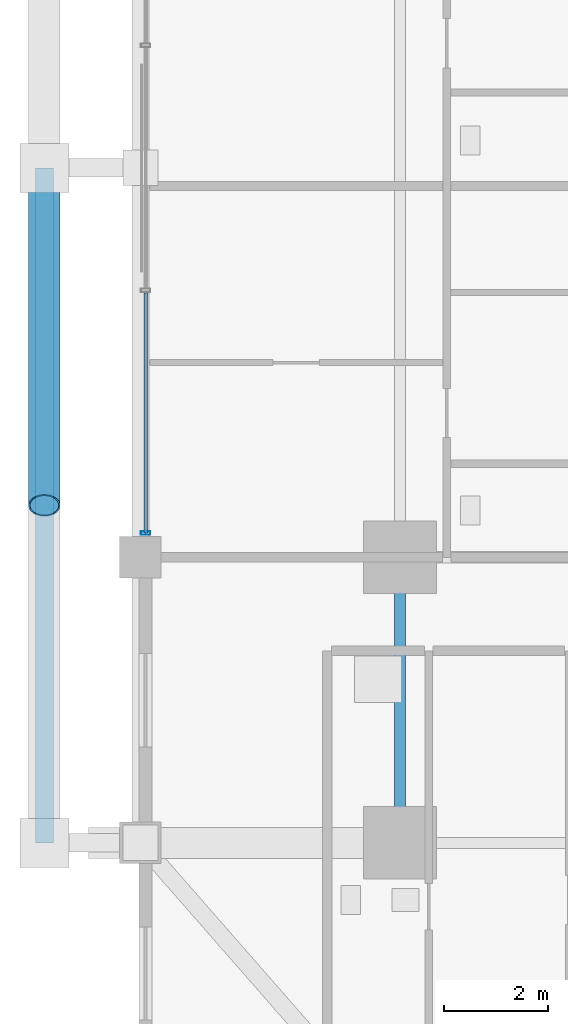
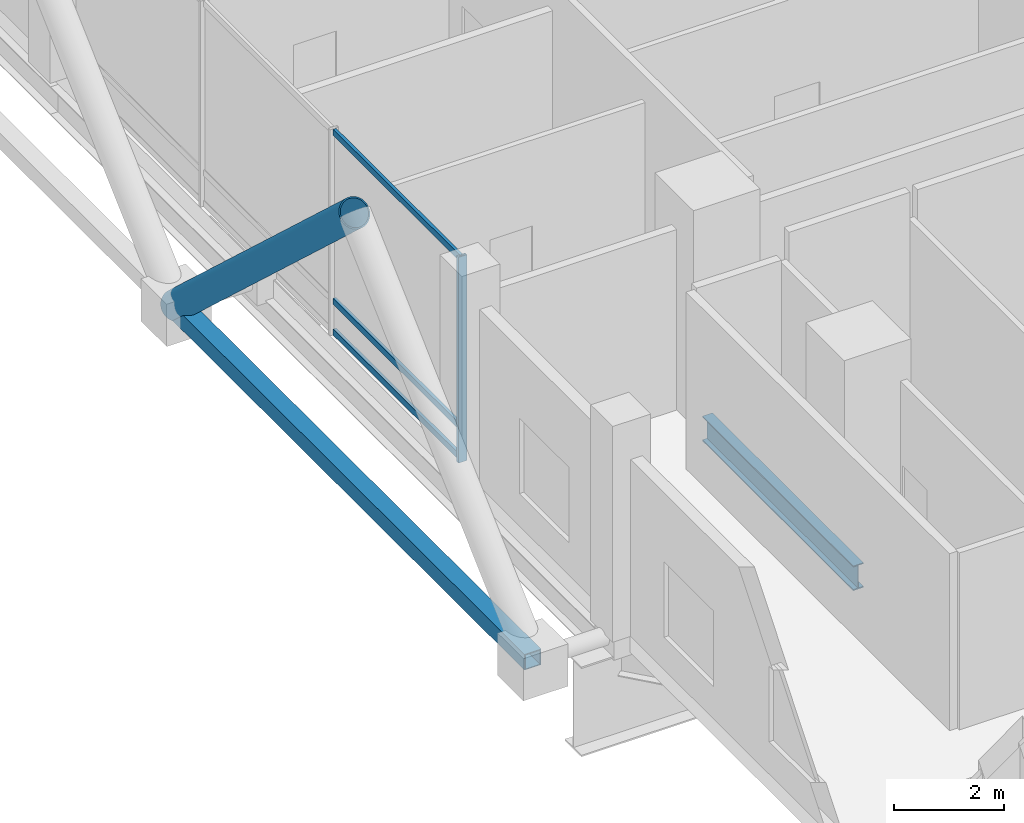
# One storey, part 6 of 33: 6 members, 1 beam, 1 element without a shape of its own.
"""IFC4 building model written with IfcOpenShell, lengths in metres."""

from ifc_helpers import new_model, si_unit, direction, frame, origin, origin_2d, place, context, subcontext, project, spatial, hollow_rectangle, hollow_circle, i_section, extrude, material, layer, layer_set, material_profile, profile_set, type_object, element, aggregate, save


model = new_model("IFC4")

# Units and contexts
model_context = context("Model", 3, precision=1e-05, world=origin(), true_north=direction((0.0, 1.0)))
body_context = subcontext(model_context, "Body", "Model", "MODEL_VIEW")
ifc_project = project(units=[si_unit("LENGTHUNIT", "METRE"), si_unit("AREAUNIT", "SQUARE_METRE"), si_unit("VOLUMEUNIT", "CUBIC_METRE"), si_unit("PLANEANGLEUNIT", "RADIAN"), si_unit("MASSUNIT", "GRAM", prefix="KILO")], contexts=[model_context])

# Site, building, storey
site_placement = place(None, origin())
site = spatial("IfcSite", under=ifc_project, at=site_placement, CompositionType="ELEMENT")
building_placement = place(site_placement, origin())
building = spatial("IfcBuilding", under=site, at=building_placement, Name="Barlavira Tower and Art Museum", CompositionType="ELEMENT")
storey_placement = place(building_placement, frame((0.0, 0.0, 27.60009765625)))
storey = spatial("IfcBuildingStorey", under=building, at=storey_placement, Name="L05", CompositionType="ELEMENT", Elevation=27.60009765625)

# Curtain wall, members
ifc_material_1 = material(Name="Low-iron coastal laminated glass", Category="glass")
ifc_layer = layer(ifc_material_1, 0.179931640625, Name="Low-iron coastal laminated glass")
ifc_layer_set = layer_set([ifc_layer], Name="Low-iron coastal laminated glass")
curtain_wall_type = type_object("IfcCurtainWallType", Name="Pale-Metal Unitised Curtain Wall Zone 1", PredefinedType="NOTDEFINED", material=ifc_layer_set)
curtain_wall_placement = place(storey_placement, origin())
curtain_wall = element("IfcCurtainWall", 1, at=curtain_wall_placement, inside=storey, type_object=curtain_wall_type, Name="L05 Curtain Wall CW1-L05-W-B3", PredefinedType="NOTDEFINED")
ifc_material_2 = material(Name="Pale anodised aluminium", Category="aluminium")
ifc_material_profile_1 = material_profile(ifc_material_2, hollow_rectangle(XDim=0.06494140625, YDim=0.179931640625, WallThickness=0.00390625, at=origin_2d()), Name="ALU-MULL 65x180x4")
ifc_profile_set_1 = profile_set([ifc_material_profile_1], Name="Pale anodised aluminium")
member_type_1 = type_object("IfcMemberType", Name="Curtain Wall Pale-Metal Mullion 65x180", PredefinedType="MULLION", material=ifc_profile_set_1)
member_1_placement = place(storey_placement, frame((-21.89990234375, -7.034912109375, 0.0), z_axis=(0.0, 0.0, 1.0), x_axis=(0.0, -1.0, 0.0)))
member_1 = element("IfcMember", 2, at=member_1_placement, type_object=member_type_1, Name="CW1-L05-W-B3 Mullion 3", PredefinedType="MULLION", context=body_context, shape_type="SweptSolid", body=[
    extrude(hollow_rectangle(XDim=0.06494140625, YDim=0.179931640625, WallThickness=0.00390625, at=origin_2d()), origin(), (0.0, 0.0, 1.0), 4.579833984375),
])
ifc_material_profile_2 = material_profile(ifc_material_2, hollow_rectangle(XDim=0.06494140625, YDim=0.139892578125, WallThickness=0.00390625, at=origin_2d()), Name="ALU-TRAN 65x140x4")
ifc_profile_set_2 = profile_set([ifc_material_profile_2], Name="Pale anodised aluminium")
member_type_2 = type_object("IfcMemberType", Name="Curtain Wall Pale-Metal Transom 65x140", PredefinedType="USERDEFINED", material=ifc_profile_set_2)
member_2_placement = place(storey_placement, frame((-21.89990234375, -2.405029296875, 0.06982421875), z_axis=(0.0, -1.0, 0.0), x_axis=(1.0, 0.0, 0.0)))
member_2 = element("IfcMember", 3, at=member_2_placement, type_object=member_type_2, Name="CW1-L05-W-B3 Transom 2.1", ObjectType="TRANSOM", PredefinedType="USERDEFINED", context=body_context, shape_type="SweptSolid", body=[
    extrude(hollow_rectangle(XDim=0.06494140625, YDim=0.139892578125, WallThickness=0.00390625, at=origin_2d()), origin(), (0.0, 0.0, 1.0), 4.6298828125),
])
member_3_placement = place(storey_placement, frame((-21.89990234375, -2.405029296875, 0.75), z_axis=(0.0, -1.0, 0.0), x_axis=(1.0, 0.0, 0.0)))
member_3 = element("IfcMember", 4, at=member_3_placement, type_object=member_type_2, Name="CW1-L05-W-B3 Transom 2.2", ObjectType="TRANSOM", PredefinedType="USERDEFINED", context=body_context, shape_type="SweptSolid", body=[
    extrude(hollow_rectangle(XDim=0.06494140625, YDim=0.139892578125, WallThickness=0.00390625, at=origin_2d()), origin(), (0.0, 0.0, 1.0), 4.6298828125),
])
member_4_placement = place(storey_placement, frame((-21.89990234375, -2.405029296875, 4.510009765625), z_axis=(0.0, -1.0, 0.0), x_axis=(1.0, 0.0, 0.0)))
member_4 = element("IfcMember", 5, at=member_4_placement, type_object=member_type_2, Name="CW1-L05-W-B3 Transom 2.3", ObjectType="TRANSOM", PredefinedType="USERDEFINED", context=body_context, shape_type="SweptSolid", body=[
    extrude(hollow_rectangle(XDim=0.06494140625, YDim=0.139892578125, WallThickness=0.00390625, at=origin_2d()), origin(), (0.0, 0.0, 1.0), 4.6298828125),
])
aggregate(curtain_wall, [member_1, member_2, member_3, member_4])

# Members
ifc_material_3 = material(Name="Steel S355", Category="steel")
ifc_material_profile_3 = material_profile(ifc_material_3, hollow_circle(Radius=0.304931640625, WallThickness=0.028076171875, at=origin_2d()), Name="CHS 610.0x28.0")
ifc_profile_set_3 = profile_set([ifc_material_profile_3], Name="Steel S355")
member_type_3 = type_object("IfcMemberType", Name="Pale-Metal Exoskeleton Diagrid Tube CHS 610x28 Steel S355", PredefinedType="BRACE", material=ifc_profile_set_3)
member_5_placement = place(storey_placement, frame((-23.85009765625, 0.0, -0.1201171875), z_axis=(0.0, -0.734803444627, 0.678280102733), x_axis=(1.0, 0.0, 0.0)))
element("IfcMember", 6, at=member_5_placement, inside=storey, type_object=member_type_3, Name="L05 Exoskeleton Diagrid Tube W", PredefinedType="BRACE", context=body_context, shape_type="SweptSolid", body=[
    extrude(hollow_circle(Radius=0.304931640625, WallThickness=0.028076171875, at=origin_2d()), origin(), (0.0, 0.0, 1.0), 8.845947265625),
])
ifc_material_profile_4 = material_profile(ifc_material_3, hollow_rectangle(XDim=0.35009765625, YDim=0.35009765625, WallThickness=0.02001953125, at=origin_2d()), Name="SHS 350x350x20.0")
ifc_profile_set_4 = profile_set([ifc_material_profile_4], Name="Steel S355")
member_type_4 = type_object("IfcMemberType", Name="Pale-Metal Exoskeleton Ring Strut SHS 350x350x20 Steel S355", PredefinedType="STRUT", material=ifc_profile_set_4)
member_6_placement = place(storey_placement, frame((-23.85009765625, -13.0, -0.1201171875), z_axis=(0.0, 1.0, 0.0), x_axis=(-1.0, 0.0, 0.0)))
element("IfcMember", 7, at=member_6_placement, inside=storey, type_object=member_type_4, Name="L05 Exoskeleton Ring Strut W", PredefinedType="STRUT", context=body_context, shape_type="SweptSolid", body=[
    extrude(hollow_rectangle(XDim=0.35009765625, YDim=0.35009765625, WallThickness=0.02001953125, at=origin_2d()), origin(), (0.0, 0.0, 1.0), 13.0),
])

# Beam
ifc_material_profile_5 = material_profile(ifc_material_3, i_section(OverallWidth=0.214111328125, OverallDepth=0.549072265625, WebThickness=0.0146484375, FlangeThickness=0.023681640625, at=origin_2d()), Name="W530x138.0")
ifc_profile_set_5 = profile_set([ifc_material_profile_5], Name="Steel S355")
beam_type = type_object("IfcBeamType", Name="Zone 1 Primary Floor Girder W530x138 Steel S355", PredefinedType="BEAM", material=ifc_profile_set_5)
beam_placement = place(storey_placement, frame((-17.0, -13.0, -0.674560546875), z_axis=(0.0, 1.0, 0.0), x_axis=(-1.0, 0.0, 0.0)))
element("IfcBeam", 8, at=beam_placement, inside=storey, type_object=beam_type, Name="L05 Girder M-W1", PredefinedType="BEAM", context=body_context, shape_type="SweptSolid", body=[
    extrude(i_section(OverallWidth=0.214111328125, OverallDepth=0.549072265625, WebThickness=0.0146484375, FlangeThickness=0.023681640625, at=origin_2d()), origin(), (0.0, 0.0, 1.0), 5.5),
])

save(model, "model.ifc")
